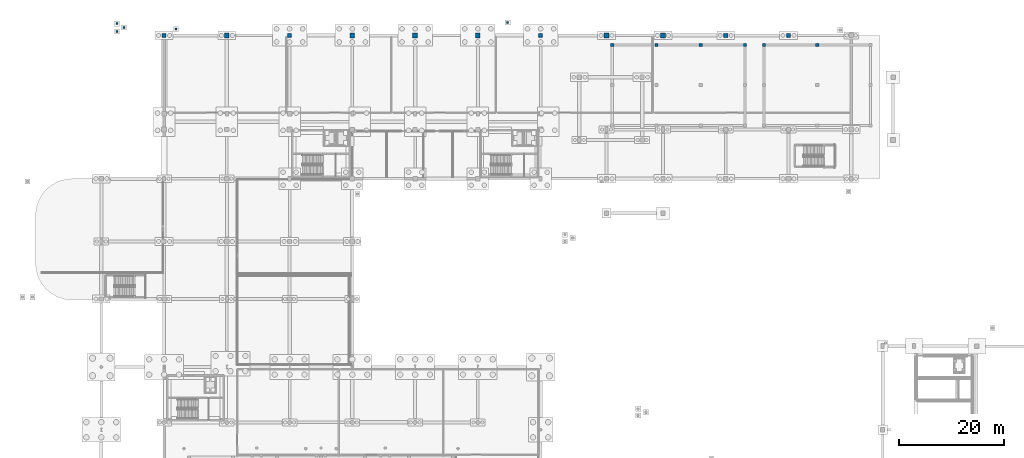
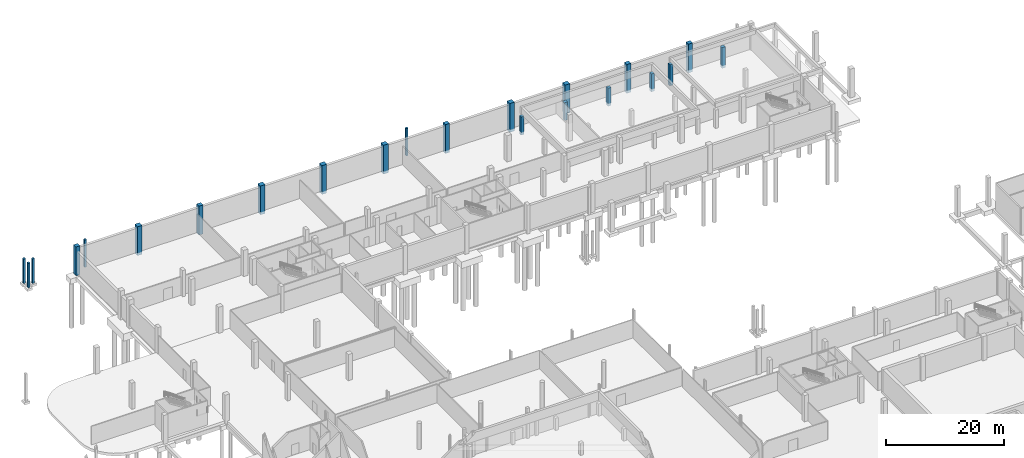
# One storey, part 23 of 42: 22 columns.
"""IFC4 building model written with IfcOpenShell, lengths in metres."""

from ifc_helpers import new_model, si_unit, direction, frame, origin, origin_2d, place, context, subcontext, project, spatial, rectangle, extrude, material, material_profile, profile_set, type_object, element, save


model = new_model("IFC4")

# Units and contexts
model_context = context("Model", 3, precision=1e-05, world=origin(), true_north=direction((0.0, 1.0)))
body_context = subcontext(model_context, "Body", "Model", "MODEL_VIEW")
ifc_project = project(units=[si_unit("LENGTHUNIT", "METRE"), si_unit("AREAUNIT", "SQUARE_METRE"), si_unit("VOLUMEUNIT", "CUBIC_METRE"), si_unit("PLANEANGLEUNIT", "RADIAN"), si_unit("MASSUNIT", "GRAM", prefix="KILO"), si_unit("THERMODYNAMICTEMPERATUREUNIT", "KELVIN"), si_unit("POWERUNIT", "WATT")], contexts=[model_context])

# Site, building, storey
site_placement = place(None, origin())
site = spatial("IfcSite", under=ifc_project, at=site_placement, CompositionType="ELEMENT")
building_placement = place(site_placement, origin())
building = spatial("IfcBuilding", under=site, at=building_placement, Name="Solmara Park Aquatics Centre", CompositionType="ELEMENT")
storey_placement = place(building_placement, frame((0.0, 0.0, -5.39990234375)))
storey = spatial("IfcBuildingStorey", under=building, at=storey_placement, Name="B1", CompositionType="ELEMENT", Elevation=-5.39990234375)

# Columns
ifc_material = material(Name="Concrete C40/50", Category="concrete")
ifc_material_profile_1 = material_profile(ifc_material, rectangle(XDim=0.39990234375, YDim=0.39990234375, at=origin_2d()), Name="RC 400x400")
ifc_profile_set_1 = profile_set([ifc_material_profile_1], Name="Concrete C40/50")
column_type_1 = type_object("IfcColumnType", Name="STR-COL-RC400", PredefinedType="COLUMN", material=ifc_profile_set_1)
for number, where, z_axis, x_axis, name in (
    (1, (26.89990234375, 137.199951171875, -0.550048828125), (0.0, 0.0, 1.0), (1.0, 0.0, 0.0), "Apron Foundation Pier SLB-L00-APR-N-1"),
    (2, (90.300048828125, 138.449951171875, -0.550048828125), (0.0, 0.0, 1.0), (1.0, 0.0, 0.0), "Apron Foundation Pier SLB-L00-APR-N-3"),
):
    element("IfcColumn", number, at=place(storey_placement, frame(where, z_axis=z_axis, x_axis=x_axis)), inside=storey, type_object=column_type_1, Name=name, PredefinedType="COLUMN", context=body_context, shape_type="SweptSolid", body=[
        extrude(rectangle(XDim=0.39990234375, YDim=0.39990234375, at=origin_2d()), origin(), (0.0, 0.0, 1.0), 5.64990234375),
    ])
for number, where, z_axis, x_axis, name in (
    (3, (15.60009765625, 136.75, -0.550048828125), (0.0, 0.0, 1.0), (1.0, 0.0, 0.0), "Wellness Boulevard Accessible Ramp Foundation Pier 1"),
    (4, (15.60009765625, 138.25, -0.550048828125), (0.0, 0.0, 1.0), (1.0, 0.0, 0.0), "Wellness Boulevard Accessible Ramp Foundation Pier 2"),
    (5, (16.89990234375, 137.5, -0.550048828125), (0.0, 0.0, 1.0), (1.0, 0.0, 0.0), "Wellness Boulevard Accessible Ramp Foundation Pier 3"),
):
    element("IfcColumn", number, at=place(storey_placement, frame(where, z_axis=z_axis, x_axis=x_axis)), inside=storey, type_object=column_type_1, Name=name, PredefinedType="COLUMN", context=body_context, shape_type="SweptSolid", body=[
        extrude(rectangle(XDim=0.39990234375, YDim=0.39990234375, at=origin_2d()), origin(), (0.0, 0.0, 1.0), 5.050048828125),
    ])
ifc_material_profile_2 = material_profile(ifc_material, rectangle(XDim=0.60009765625, YDim=0.60009765625, at=origin_2d()), Name="RC 600x600")
ifc_profile_set_2 = profile_set([ifc_material_profile_2], Name="Concrete C40/50")
column_type_2 = type_object("IfcColumnType", Name="STR-COL-RC600", PredefinedType="COLUMN", material=ifc_profile_set_2)
for number, where, z_axis, x_axis, name in (
    (6, (110.300048828125, 134.199951171875, -0.550048828125), (0.0, 0.0, 1.0), (1.0, 0.0, 0.0), "Pool Tank Support Column 031"),
    (7, (118.7666015625, 134.199951171875, -0.550048828125), (0.0, 0.0, 1.0), (1.0, 0.0, 0.0), "Pool Tank Support Column 034"),
    (8, (127.2333984375, 134.199951171875, -0.550048828125), (0.0, 0.0, 1.0), (1.0, 0.0, 0.0), "Pool Tank Support Column 037"),
    (9, (135.699951171875, 134.199951171875, -0.550048828125), (0.0, 0.0, 1.0), (1.0, 0.0, 0.0), "Pool Tank Support Column 040"),
):
    element("IfcColumn", number, at=place(storey_placement, frame(where, z_axis=z_axis, x_axis=x_axis)), inside=storey, type_object=column_type_2, Name=name, PredefinedType="COLUMN", context=body_context, shape_type="SweptSolid", body=[
        extrude(rectangle(XDim=0.60009765625, YDim=0.60009765625, at=origin_2d()), origin(), (0.0, 0.0, 1.0), 3.699951171875),
    ])
for number, where, z_axis, x_axis, name in (
    (10, (139.300048828125, 134.199951171875, -0.550048828125), (0.0, 0.0, 1.0), (1.0, 0.0, 0.0), "Pool Tank Support Column 043"),
    (11, (149.5, 134.199951171875, -0.550048828125), (0.0, 0.0, 1.0), (1.0, 0.0, 0.0), "Pool Tank Support Column 046"),
):
    element("IfcColumn", number, at=place(storey_placement, frame(where, z_axis=z_axis, x_axis=x_axis)), inside=storey, type_object=column_type_2, Name=name, PredefinedType="COLUMN", context=body_context, shape_type="SweptSolid", body=[
        extrude(rectangle(XDim=0.60009765625, YDim=0.60009765625, at=origin_2d()), origin(), (0.0, 0.0, 1.0), 4.300048828125),
    ])
ifc_material_profile_3 = material_profile(ifc_material, rectangle(XDim=0.800048828125, YDim=0.800048828125, at=origin_2d()), Name="RC 800x800")
ifc_profile_set_3 = profile_set([ifc_material_profile_3], Name="Concrete C40/50")
column_type_3 = type_object("IfcColumnType", Name="STR-COL-RC800", PredefinedType="COLUMN", material=ifc_profile_set_3)
for number, where, z_axis, x_axis, name in (
    (12, (24.60009765625, 136.0, -0.550048828125), (0.0, 0.0, 1.0), (1.0, 0.0, 0.0), "Column B1-0019"),
    (13, (48.60009765625, 136.0, -0.550048828125), (0.0, 0.0, 1.0), (1.0, 0.0, 0.0), "Column B1-0039"),
    (14, (96.60009765625, 136.0, -0.550048828125), (0.0, 0.0, 1.0), (1.0, 0.0, 0.0), "Column B1-0075"),
    (15, (132.0, 136.0, -0.550048828125), (0.0, 0.0, 1.0), (1.0, 0.0, 0.0), "Column B1-0107"),
    (16, (144.0, 136.0, -0.550048828125), (0.0, 0.0, 1.0), (1.0, 0.0, 0.0), "Column B1-0115"),
):
    element("IfcColumn", number, at=place(storey_placement, frame(where, z_axis=z_axis, x_axis=x_axis)), inside=storey, type_object=column_type_3, Name=name, PredefinedType="COLUMN", context=body_context, shape_type="SweptSolid", body=[
        extrude(rectangle(XDim=0.800048828125, YDim=0.800048828125, at=origin_2d()), origin(), (0.0, 0.0, 1.0), 5.949951171875),
    ])
ifc_material_profile_4 = material_profile(ifc_material, rectangle(XDim=0.89990234375, YDim=0.89990234375, at=origin_2d()), Name="RC 900x900")
ifc_profile_set_4 = profile_set([ifc_material_profile_4], Name="Concrete C40/50")
column_type_4 = type_object("IfcColumnType", Name="STR-COL-RC900", PredefinedType="COLUMN", material=ifc_profile_set_4)
for number, where, z_axis, x_axis, name in (
    (17, (36.60009765625, 136.0, -0.550048828125), (0.0, 0.0, 1.0), (1.0, 0.0, 0.0), "Column B1-0029"),
    (18, (60.60009765625, 136.0, -0.550048828125), (0.0, 0.0, 1.0), (1.0, 0.0, 0.0), "Column B1-0049"),
    (19, (72.60009765625, 136.0, -0.550048828125), (0.0, 0.0, 1.0), (1.0, 0.0, 0.0), "Column B1-0057"),
    (20, (84.60009765625, 136.0, -0.550048828125), (0.0, 0.0, 1.0), (1.0, 0.0, 0.0), "Column B1-0065"),
    (21, (109.199951171875, 136.0, -0.550048828125), (0.0, 0.0, 1.0), (1.0, 0.0, 0.0), "Column B1-0085"),
    (22, (120.0, 136.0, -0.550048828125), (0.0, 0.0, 1.0), (1.0, 0.0, 0.0), "Column B1-0097"),
):
    element("IfcColumn", number, at=place(storey_placement, frame(where, z_axis=z_axis, x_axis=x_axis)), inside=storey, type_object=column_type_4, Name=name, PredefinedType="COLUMN", context=body_context, shape_type="SweptSolid", body=[
        extrude(rectangle(XDim=0.89990234375, YDim=0.89990234375, at=origin_2d()), origin(), (0.0, 0.0, 1.0), 5.949951171875),
    ])

save(model, "model.ifc")
